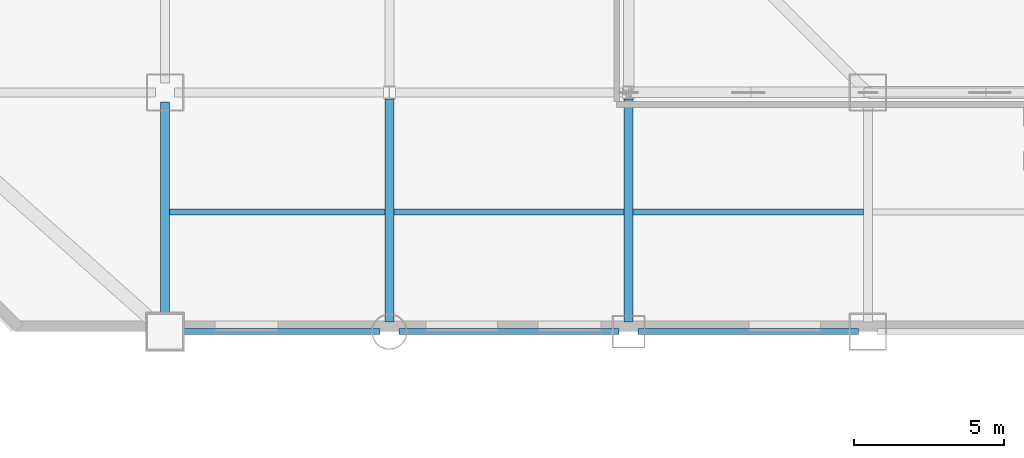
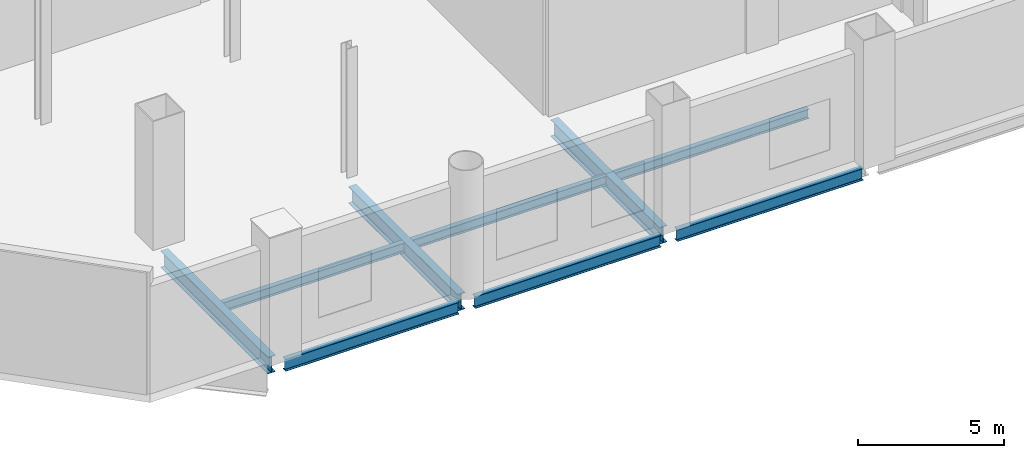
# One storey, part 5 of 26: 9 beams.
"""IFC4 building model written with IfcOpenShell, lengths in metres."""

from ifc_helpers import new_model, si_unit, direction, frame, origin, origin_2d, place, context, subcontext, project, spatial, i_section, extrude, material, material_profile, profile_set, type_object, element, save


model = new_model("IFC4")

# Units and contexts
model_context = context("Model", 3, precision=1e-05, world=origin(), true_north=direction((0.0, 1.0)))
body_context = subcontext(model_context, "Body", "Model", "MODEL_VIEW")
ifc_project = project(units=[si_unit("LENGTHUNIT", "METRE"), si_unit("AREAUNIT", "SQUARE_METRE"), si_unit("VOLUMEUNIT", "CUBIC_METRE"), si_unit("PLANEANGLEUNIT", "RADIAN"), si_unit("MASSUNIT", "GRAM", prefix="KILO")], contexts=[model_context])

# Site, building, storey
site_placement = place(None, origin())
site = spatial("IfcSite", under=ifc_project, at=site_placement, CompositionType="ELEMENT")
building_placement = place(site_placement, origin())
building = spatial("IfcBuilding", under=site, at=building_placement, Name="Qianrong Seaharbour Tower", CompositionType="ELEMENT")
storey_placement = place(building_placement, frame((0.0, 0.0, 108.199951171875)))
storey = spatial("IfcBuildingStorey", under=building, at=storey_placement, Name="L26", CompositionType="ELEMENT", Elevation=108.199951171875)

# Beams
ifc_material_1 = material(Name="Structural steel SN490B", Category="steel")
ifc_material_profile_1 = material_profile(ifc_material_1, i_section(OverallWidth=0.300048828125, OverallDepth=0.699951171875, WebThickness=0.012939453125, FlangeThickness=0.02392578125, FilletRadius=0.02587890625, at=origin_2d()), Name="H700x300x13x24")
ifc_profile_set_1 = profile_set([ifc_material_profile_1], Name="Structural steel SN490B")
beam_type_1 = type_object("IfcBeamType", Name="BM-G-700", PredefinedType="BEAM", material=ifc_profile_set_1)
beam_1_placement = place(storey_placement, frame((9.0, 28.320068359375, -0.699951171875), z_axis=(0.0, 1.0, 0.0), x_axis=(-1.0, 0.0, 0.0)))
element("IfcBeam", 1, at=beam_1_placement, inside=storey, type_object=beam_type_1, Name="L26 Primary Girder G2 GE-GF", PredefinedType="BEAM", context=body_context, shape_type="SweptSolid", body=[
    extrude(i_section(OverallWidth=0.300048828125, OverallDepth=0.699951171875, WebThickness=0.012939453125, FlangeThickness=0.02392578125, FilletRadius=0.02587890625, at=origin_2d()), origin(), (0.0, 0.0, 1.0), 7.35986328125),
])
for number, where, z_axis, x_axis, name in (
    (2, (16.5, 28.320068359375, -0.699951171875), (0.0, 1.0, 0.0), (-1.0, 0.0, 0.0), "L26 Primary Girder G3 GE-GF"),
    (3, (24.5, 28.320068359375, -0.699951171875), (0.0, 1.0, 0.0), (-1.0, 0.0, 0.0), "L26 Primary Girder G4 GE-GF"),
):
    element("IfcBeam", number, at=place(storey_placement, frame(where, z_axis=z_axis, x_axis=x_axis)), inside=storey, type_object=beam_type_1, Name=name, PredefinedType="BEAM", context=body_context, shape_type="SweptSolid", body=[
        extrude(i_section(OverallWidth=0.300048828125, OverallDepth=0.699951171875, WebThickness=0.012939453125, FlangeThickness=0.02392578125, FilletRadius=0.02587890625, at=origin_2d()), origin(), (0.0, 0.0, 1.0), 7.4658203125),
    ])
ifc_material_2 = material(Name="Structural steel SN400B", Category="steel")
ifc_material_profile_2 = material_profile(ifc_material_2, i_section(OverallWidth=0.199951171875, OverallDepth=0.39990234375, WebThickness=0.008056640625, FlangeThickness=0.012939453125, FilletRadius=0.01611328125, at=origin_2d()), Name="H400x200x8x13")
ifc_profile_set_2 = profile_set([ifc_material_profile_2], Name="Structural steel SN400B")
beam_type_2 = type_object("IfcBeamType", Name="BM-J-400", PredefinedType="JOIST", material=ifc_profile_set_2)
beam_2_placement = place(storey_placement, frame((9.14990234375, 32.0, -0.550048828125), z_axis=(1.0, 0.0, 0.0), x_axis=(0.0, 1.0, 0.0)))
element("IfcBeam", 4, at=beam_2_placement, inside=storey, type_object=beam_type_2, Name="L26 Composite Floor Joist G2-G3/GE-GF", PredefinedType="JOIST", context=body_context, shape_type="SweptSolid", body=[
    extrude(i_section(OverallWidth=0.199951171875, OverallDepth=0.39990234375, WebThickness=0.008056640625, FlangeThickness=0.012939453125, FilletRadius=0.01611328125, at=origin_2d()), origin(), (0.0, 0.0, 1.0), 7.2001953125),
])
for number, where, z_axis, x_axis, name in (
    (5, (16.64990234375, 32.0, -0.550048828125), (1.0, 0.0, 0.0), (0.0, 1.0, 0.0), "L26 Composite Floor Joist G3-G4/GE-GF"),
    (6, (24.64990234375, 32.0, -0.550048828125), (1.0, 0.0, 0.0), (0.0, 1.0, 0.0), "L26 Composite Floor Joist G4-G5/GE-GF"),
):
    element("IfcBeam", number, at=place(storey_placement, frame(where, z_axis=z_axis, x_axis=x_axis)), inside=storey, type_object=beam_type_2, Name=name, PredefinedType="JOIST", context=body_context, shape_type="SweptSolid", body=[
        extrude(i_section(OverallWidth=0.199951171875, OverallDepth=0.39990234375, WebThickness=0.008056640625, FlangeThickness=0.012939453125, FilletRadius=0.01611328125, at=origin_2d()), origin(), (0.0, 0.0, 1.0), 7.7001953125),
    ])
ifc_material_profile_3 = material_profile(ifc_material_1, i_section(OverallWidth=0.199951171875, OverallDepth=0.5, WebThickness=0.010009765625, FlangeThickness=0.01611328125, FilletRadius=0.02001953125, at=origin_2d()), Name="H500x200x10x16")
ifc_profile_set_3 = profile_set([ifc_material_profile_3], Name="Structural steel SN490B")
beam_type_3 = type_object("IfcBeamType", Name="BM-SP-500", PredefinedType="SPANDREL", material=ifc_profile_set_3)
beam_3_placement = place(storey_placement, frame((9.320068359375, 28.0, -0.599853515625), z_axis=(1.0, 0.0, 0.0), x_axis=(0.0, 1.0, 0.0)))
element("IfcBeam", 7, at=beam_3_placement, inside=storey, type_object=beam_type_3, Name="L26 Spandrel Girder GE G2-G3", PredefinedType="SPANDREL", context=body_context, shape_type="SweptSolid", body=[
    extrude(i_section(OverallWidth=0.199951171875, OverallDepth=0.5, WebThickness=0.010009765625, FlangeThickness=0.01611328125, FilletRadius=0.02001953125, at=origin_2d()), origin(), (0.0, 0.0, 1.0), 6.85986328125),
])
for number, where, z_axis, x_axis, name in (
    (8, (16.820068359375, 28.0, -0.599853515625), (1.0, 0.0, 0.0), (0.0, 1.0, 0.0), "L26 Spandrel Girder GE G3-G4"),
    (9, (24.820068359375, 28.0, -0.599853515625), (1.0, 0.0, 0.0), (0.0, 1.0, 0.0), "L26 Spandrel Girder GE G4-G5"),
):
    element("IfcBeam", number, at=place(storey_placement, frame(where, z_axis=z_axis, x_axis=x_axis)), inside=storey, type_object=beam_type_3, Name=name, PredefinedType="SPANDREL", context=body_context, shape_type="SweptSolid", body=[
        extrude(i_section(OverallWidth=0.199951171875, OverallDepth=0.5, WebThickness=0.010009765625, FlangeThickness=0.01611328125, FilletRadius=0.02001953125, at=origin_2d()), origin(), (0.0, 0.0, 1.0), 7.35986328125),
    ])

save(model, "model.ifc")
